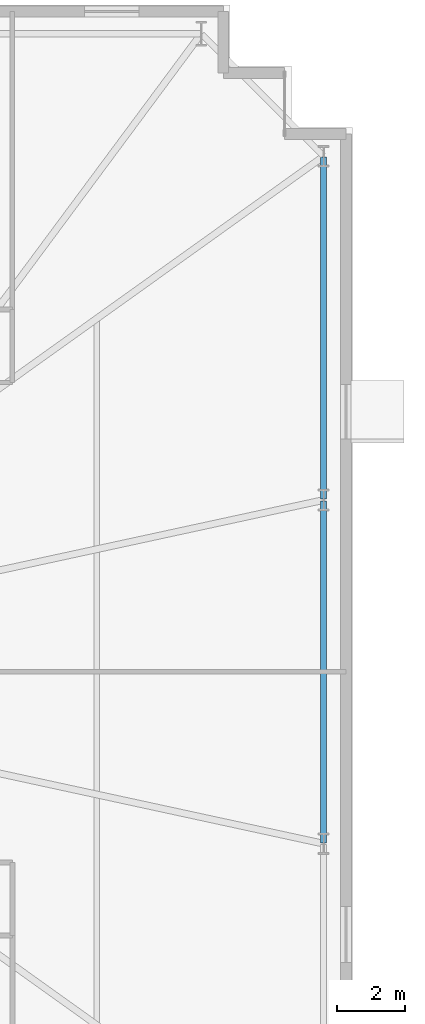
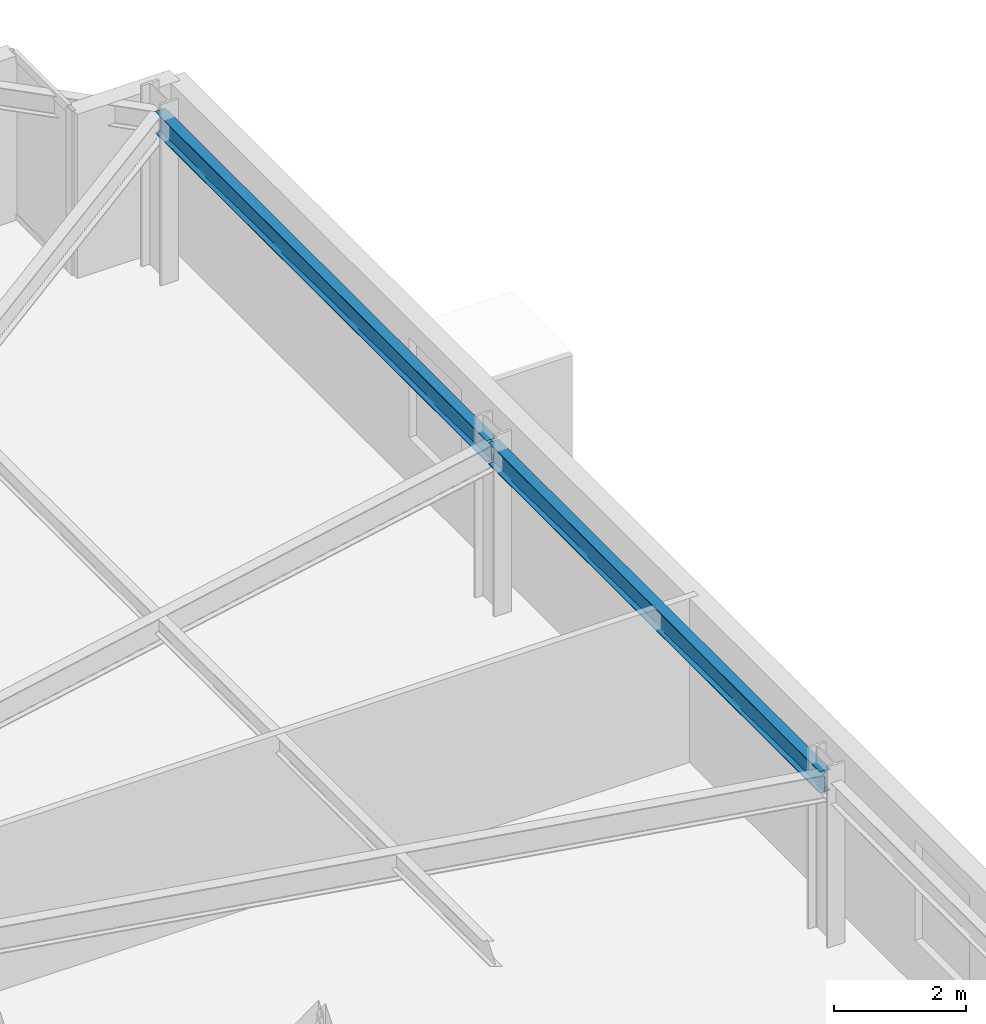
# One storey, part 11 of 20: 2 beams.
"""IFC4 building model written with IfcOpenShell, lengths in metres."""

from ifc_helpers import new_model, si_unit, direction, frame, origin, origin_2d, place, context, subcontext, project, spatial, i_section, extrude, material, material_profile, profile_set, type_object, element, save


model = new_model("IFC4")

# Units and contexts
model_context = context("Model", 3, precision=1e-05, world=origin(), true_north=direction((0.0, 1.0)))
body_context = subcontext(model_context, "Body", "Model", "MODEL_VIEW")
ifc_project = project(units=[si_unit("LENGTHUNIT", "METRE"), si_unit("AREAUNIT", "SQUARE_METRE"), si_unit("VOLUMEUNIT", "CUBIC_METRE"), si_unit("PLANEANGLEUNIT", "RADIAN"), si_unit("MASSUNIT", "GRAM", prefix="KILO")], contexts=[model_context])

# Site, building, storey
site_placement = place(None, origin())
site = spatial("IfcSite", under=ifc_project, at=site_placement, CompositionType="ELEMENT")
building_placement = place(site_placement, origin())
building = spatial("IfcBuilding", under=site, at=building_placement, Name="Qobustan Lattice House", CompositionType="ELEMENT")
storey_placement = place(building_placement, frame((0.0, 0.0, 63.85009765625)))
storey = spatial("IfcBuildingStorey", under=building, at=storey_placement, Name="L17", CompositionType="ELEMENT", Elevation=63.85009765625)

# Beams
ifc_material = material(Name="Steel S355", Category="steel")
ifc_material_profile = material_profile(ifc_material, i_section(OverallWidth=0.179931640625, OverallDepth=0.39990234375, WebThickness=0.008544921875, FlangeThickness=0.013427734375, FilletRadius=0.02099609375, at=origin_2d()), Name="IPE400")
ifc_profile_set = profile_set([ifc_material_profile], Name="Steel S355")
beam_type = type_object("IfcBeamType", Name="BM-SPD-IPE400", PredefinedType="SPANDREL", material=ifc_profile_set)
beam_1_placement = place(storey_placement, frame((32.14990234375, -5.02490234375, 2.8349609375), z_axis=(0.0, 1.0, 0.0), x_axis=(-1.0, 0.0, 0.0)))
element("IfcBeam", 1, at=beam_1_placement, inside=storey, type_object=beam_type, Name="L17 perimeter spandrel E2-E3", PredefinedType="SPANDREL", context=body_context, shape_type="SweptSolid", body=[
    extrude(i_section(OverallWidth=0.179931640625, OverallDepth=0.39990234375, WebThickness=0.008544921875, FlangeThickness=0.013427734375, FilletRadius=0.02099609375, at=origin_2d()), origin(), (0.0, 0.0, 1.0), 10.0498046875),
])
beam_2_placement = place(storey_placement, frame((32.14990234375, 5.074951171875, 2.8349609375), z_axis=(0.0, 1.0, 0.0), x_axis=(-1.0, 0.0, 0.0)))
element("IfcBeam", 2, at=beam_2_placement, inside=storey, type_object=beam_type, Name="L17 perimeter spandrel E3-E4", PredefinedType="SPANDREL", context=body_context, shape_type="SweptSolid", body=[
    extrude(i_section(OverallWidth=0.179931640625, OverallDepth=0.39990234375, WebThickness=0.008544921875, FlangeThickness=0.013427734375, FilletRadius=0.02099609375, at=origin_2d()), origin(), (0.0, 0.0, 1.0), 10.050048828125),
])

save(model, "model.ifc")
